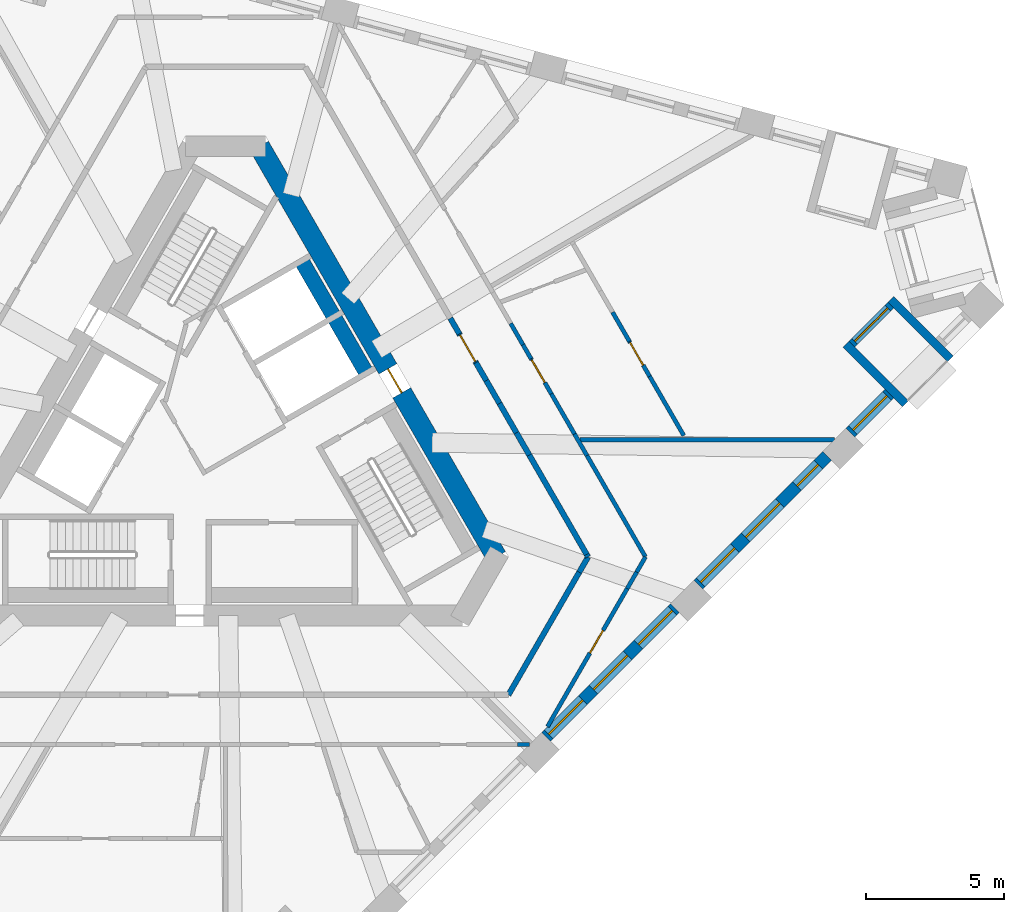
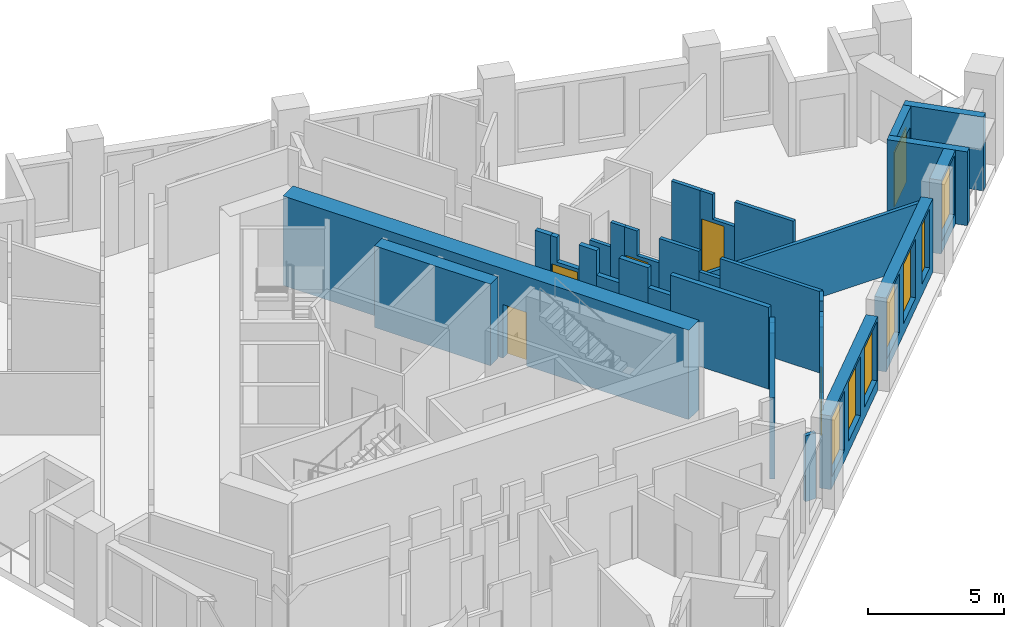
# One storey, part 5 of 13: 32 walls, 7 windows, 6 doors, 13 openings.
"""IFC4 building model written with IfcOpenShell, lengths in metres."""

from ifc_helpers import new_model, si_unit, direction, frame, frame_2d, origin, place, context, subcontext, project, spatial, polyline, rectangle, outline, extrude, material, layer, layer_set, type_object, element, fill, save


model = new_model("IFC4")

# Units and contexts
model_context = context("Model", 3, precision=1e-05, world=origin(), true_north=direction((0.0, 1.0)))
body_context = subcontext(model_context, "Body", "Model", "MODEL_VIEW")
ifc_project = project(units=[si_unit("LENGTHUNIT", "METRE"), si_unit("AREAUNIT", "SQUARE_METRE"), si_unit("VOLUMEUNIT", "CUBIC_METRE"), si_unit("PLANEANGLEUNIT", "RADIAN"), si_unit("MASSUNIT", "GRAM", prefix="KILO")], contexts=[model_context])

# Site, building, storey
site_placement = place(None, origin())
site = spatial("IfcSite", under=ifc_project, at=site_placement, CompositionType="ELEMENT")
building_placement = place(site_placement, origin())
building = spatial("IfcBuilding", under=site, at=building_placement, Name="Tramontana Tower", CompositionType="ELEMENT")
storey_placement = place(building_placement, frame((0.0, 0.0, 200.0)))
storey = spatial("IfcBuildingStorey", under=building, at=storey_placement, Name="L46", CompositionType="ELEMENT", Elevation=200.0)

# Wall, opening, door
ifc_material_1 = material(Name="Concrete 70 MPa", Category="concrete")
ifc_layer_1 = layer(ifc_material_1, 0.75)
ifc_layer_set_1 = layer_set([ifc_layer_1], Name="Core wall 750 70 MPa")
wall_type_1 = type_object("IfcWallType", Name="Core wall 750 70 MPa", PredefinedType="SHEAR", material=ifc_layer_set_1)
wall_1_placement = place(storey_placement, frame((9.81494140625, -4.25, 0.0), z_axis=(0.0, 0.0, 1.0), x_axis=(-0.500002161919, 0.866024155596, 0.0)))
wall_1 = element("IfcWall", 1, at=wall_1_placement, inside=storey, type_object=wall_type_1, Name="Core wall C5 L46", PredefinedType="SHEAR", context=body_context, shape_type="SweptSolid", body=[
    extrude(rectangle(XDim=17.17626953125, YDim=0.75, at=frame_2d((8.588134765625, 0.0))), origin(), (0.0, 0.0, 1.0), 4.0),
])
opening_1_placement = place(wall_1_placement, frame((6.863037109375, 0.0, 0.0)))
opening_1 = element("IfcOpeningElement", 2, at=opening_1_placement, cuts=wall_1, Name="Opening RG3", PredefinedType="OPENING", context=body_context, shape_type="SweptSolid", body=[
    extrude(rectangle(XDim=1.0, YDim=2.39990234375, at=frame_2d((0.5, 1.199951171875))), frame((0.0, 0.385009765625, 0.0), z_axis=(0.0, -1.0, 0.0), x_axis=(1.0, 0.0, 0.0)), (0.0, 0.0, 1.0), 0.77001953125),
])
ifc_material_2 = material(Name="Painted steel", Category="steel")
door_type_1 = type_object("IfcDoorType", Name="RING DOOR 1000", OperationType="SINGLE_SWING_LEFT", PredefinedType="DOOR", material=ifc_material_2)
door_1_placement = place(opening_1_placement, origin())
door_1 = element("IfcDoor", 3, at=door_1_placement, inside=storey, type_object=door_type_1, Name="Door RG3", OperationType="SINGLE_SWING_LEFT", OverallHeight=2.39990234375, OverallWidth=1.0, PredefinedType="DOOR", context=body_context, shape_type="SweptSolid", body=[
    extrude(rectangle(XDim=1.0, YDim=2.39990234375, at=frame_2d((0.5, 1.199951171875))), frame((0.0, 0.02490234375, 0.0), z_axis=(0.0, -1.0, 0.0), x_axis=(1.0, 0.0, 0.0)), (0.0, 0.0, 1.0), 0.050048828125),
])
fill(opening_1, door_1)

# Wall
ifc_material_3 = material(Name="Blockwork", Category="masonry")
ifc_layer_2 = layer(ifc_material_3, 0.199951171875)
ifc_layer_set_2 = layer_set([ifc_layer_2], Name="ENTRY WALL 200")
wall_type_2 = type_object("IfcWallType", Name="ENTRY WALL 200", PredefinedType="SOLIDWALL", material=ifc_layer_set_2)
wall_2_placement = place(storey_placement, frame((8.143310546875, 4.3955078125, 0.0), z_axis=(0.0, 0.0, 1.0), x_axis=(0.499776065732, -0.866154653697, 0.0)))
element("IfcWall", 4, at=wall_2_placement, inside=storey, type_object=wall_type_2, Name="Wall v50-ew0-6", PredefinedType="SOLIDWALL", context=body_context, shape_type="SweptSolid", body=[
    extrude(rectangle(XDim=0.656982421875, YDim=0.199951171875, at=frame_2d((0.32861328125, 0.0))), origin(), (0.0, 0.0, 1.0), 3.64990234375),
])

# Wall, opening, door
wall_3_placement = place(storey_placement, frame((8.4716796875, 3.826416015625, 0.0), z_axis=(0.0, 0.0, 1.0), x_axis=(0.500033551112, -0.866006032174, 0.0)))
wall_3 = element("IfcWall", 5, at=wall_3_placement, inside=storey, type_object=wall_type_2, Name="Wall v50-ew0-7", PredefinedType="SOLIDWALL", context=body_context, shape_type="SweptSolid", body=[
    extrude(outline(polyline([(0.0, 0.0), (1.2001953125, 0.0), (1.199951171875, 2.550048828125), (0.2666015625, 2.550048828125), (0.2666015625, 3.64990234375), (0.0, 3.64990234375), (0.0, 0.0)])), frame((0.0, 0.10009765625, 0.0), z_axis=(0.0, -1.0, 0.0), x_axis=(1.0, 0.0, 0.0)), (0.0, 0.0, 1.0), 0.199951171875),
])
opening_2_placement = place(wall_3_placement, frame((0.050048828125, 0.0, 0.0)))
opening_2 = element("IfcOpeningElement", 6, at=opening_2_placement, cuts=wall_3, Name="Opening B5A-24", PredefinedType="OPENING", context=body_context, shape_type="SweptSolid", body=[
    extrude(rectangle(XDim=1.10009765625, YDim=2.39990234375, at=frame_2d((0.550048828125, 1.199951171875))), frame((0.0, 0.10986328125, 0.0), z_axis=(0.0, -1.0, 0.0), x_axis=(1.0, 0.0, 0.0)), (0.0, 0.0, 1.0), 0.219970703125),
])
ifc_material_4 = material(Name="Painted timber", Category="wood")
door_type_2 = type_object("IfcDoorType", Name="DOOR ENTRY 1100", OperationType="SINGLE_SWING_LEFT", PredefinedType="DOOR", material=ifc_material_4)
door_2_placement = place(opening_2_placement, origin())
door_2 = element("IfcDoor", 7, at=door_2_placement, inside=storey, type_object=door_type_2, Name="Door B5A-24", OperationType="SINGLE_SWING_RIGHT", OverallHeight=2.39990234375, OverallWidth=1.10009765625, PredefinedType="DOOR", context=body_context, shape_type="SweptSolid", body=[
    extrude(rectangle(XDim=1.10009765625, YDim=2.39990234375, at=frame_2d((0.550048828125, 1.199951171875))), frame((0.0, 0.02490234375, 0.0), z_axis=(0.0, -1.0, 0.0), x_axis=(1.0, 0.0, 0.0)), (0.0, 0.0, 1.0), 0.050048828125),
])
fill(opening_2, door_2)

# Walls
wall_4_placement = place(storey_placement, frame((9.07177734375, 2.787109375, 0.0), z_axis=(0.0, 0.0, 1.0), x_axis=(0.50020163859, -0.865908956387, 0.0)))
element("IfcWall", 8, at=wall_4_placement, inside=storey, type_object=wall_type_2, Name="Wall v50-ew0-8", PredefinedType="SOLIDWALL", context=body_context, shape_type="SweptSolid", body=[
    extrude(rectangle(XDim=0.749755859375, YDim=0.199951171875, at=frame_2d((0.375, 0.0))), origin(), (0.0, 0.0, 1.0), 3.64990234375),
])
wall_5_placement = place(storey_placement, frame((9.44677734375, 2.137939453125, 0.0), z_axis=(0.0, 0.0, 1.0), x_axis=(0.499869636591, -0.866100656052, 0.0)))
element("IfcWall", 9, at=wall_5_placement, inside=storey, type_object=wall_type_2, Name="Wall v50-ew0-9", PredefinedType="SOLIDWALL", context=body_context, shape_type="SweptSolid", body=[
    extrude(rectangle(XDim=0.957275390625, YDim=0.199951171875, at=frame_2d((0.478515625, 0.0))), origin(), (0.0, 0.0, 1.0), 2.550048828125),
])
wall_6_placement = place(storey_placement, frame((9.92529296875, 1.308837890625, 0.0), z_axis=(0.0, 0.0, 1.0), x_axis=(0.500055461028, -0.865993380977, 0.0)))
element("IfcWall", 10, at=wall_6_placement, inside=storey, type_object=wall_type_2, Name="Wall v50-ew0-10", PredefinedType="SOLIDWALL", context=body_context, shape_type="SweptSolid", body=[
    extrude(rectangle(XDim=1.226806640625, YDim=0.199951171875, at=frame_2d((0.61328125, 0.0))), origin(), (0.0, 0.0, 1.0), 3.64990234375),
])
wall_7_placement = place(storey_placement, frame((10.538818359375, 0.246337890625, 0.0), z_axis=(0.0, 0.0, 1.0), x_axis=(0.499971966783, -0.866041588165, 0.0)))
element("IfcWall", 11, at=wall_7_placement, inside=storey, type_object=wall_type_2, Name="Wall v50-ew0-11", PredefinedType="SOLIDWALL", context=body_context, shape_type="SweptSolid", body=[
    extrude(rectangle(XDim=0.931640625, YDim=0.199951171875, at=frame_2d((0.4658203125, 0.0))), origin(), (0.0, 0.0, 1.0), 2.75),
])
wall_8_placement = place(storey_placement, frame((11.004638671875, -0.560546875, 0.0), z_axis=(0.0, 0.0, 1.0), x_axis=(0.499993700073, -0.866029041019, 0.0)))
element("IfcWall", 12, at=wall_8_placement, inside=storey, type_object=wall_type_2, Name="Wall v50-ew0-12", PredefinedType="SOLIDWALL", context=body_context, shape_type="SweptSolid", body=[
    extrude(rectangle(XDim=4.1552734375, YDim=0.199951171875, at=frame_2d((2.07763671875, 0.0))), origin(), (0.0, 0.0, 1.0), 3.64990234375),
])
wall_9_placement = place(storey_placement, frame((13.082275390625, -4.1591796875, 0.0), z_axis=(0.0, 0.0, 1.0), x_axis=(0.500393920955, -0.865797853931, 0.0)))
element("IfcWall", 13, at=wall_9_placement, inside=storey, type_object=wall_type_2, Name="Wall v50-ew0-13", PredefinedType="SOLIDWALL", context=body_context, shape_type="SweptSolid", body=[
    extrude(rectangle(XDim=0.10498046875, YDim=0.199951171875, at=frame_2d((0.052490234375, 0.0))), origin(), (0.0, 0.0, 1.0), 2.949951171875),
])
wall_10_placement = place(storey_placement, frame((13.134765625, -4.25, 0.0), z_axis=(0.0, 0.0, 1.0), x_axis=(-0.500018234033, -0.866014876105, 0.0)))
element("IfcWall", 14, at=wall_10_placement, inside=storey, type_object=wall_type_2, Name="Wall v50-ew1-0", PredefinedType="SOLIDWALL", context=body_context, shape_type="SweptSolid", body=[
    extrude(rectangle(XDim=0.64306640625, YDim=0.199951171875, at=frame_2d((0.321533203125, 0.0))), origin(), (0.0, 0.0, 1.0), 2.949951171875),
])
wall_11_placement = place(storey_placement, frame((12.813232421875, -4.806884765625, 0.0), z_axis=(0.0, 0.0, 1.0), x_axis=(-0.499992949462, -0.866029474376, 0.0)))
element("IfcWall", 15, at=wall_11_placement, inside=storey, type_object=wall_type_2, Name="Wall v50-ew1-1", PredefinedType="SOLIDWALL", context=body_context, shape_type="SweptSolid", body=[
    extrude(rectangle(XDim=5.13037109375, YDim=0.199951171875, at=frame_2d((2.565185546875, 0.0))), origin(), (0.0, 0.0, 1.0), 3.64990234375),
])

# Wall, openings, windows
ifc_material_5 = material(Name="Precast concrete 60 MPa", Category="concrete")
ifc_layer_3 = layer(ifc_material_5, 0.449951171875)
ifc_layer_set_3 = layer_set([ifc_layer_3], Name="Precast concrete 60 MPa, 450 mm")
wall_type_3 = type_object("IfcWallType", Name="EW1 Stone-faced precast wall 450", PredefinedType="SOLIDWALL", material=ifc_layer_set_3)
wall_12_placement = place(storey_placement, frame((11.6142578125, -10.765625, 0.0), z_axis=(0.0, 0.0, 1.0), x_axis=(0.707106781187, 0.707106781187, 0.0)))
wall_12 = element("IfcWall", 16, at=wall_12_placement, inside=storey, type_object=wall_type_3, Name="External wall L46 face 1 bay 4", PredefinedType="SOLIDWALL", context=body_context, shape_type="SweptSolid", body=[
    extrude(rectangle(XDim=6.59423828125, YDim=0.449951171875, at=frame_2d((3.297119140625, 0.0))), origin(), (0.0, 0.0, 1.0), 3.300048828125),
])
opening_3_placement = place(wall_12_placement, frame((0.1240234375, 0.0, 0.5)))
opening_3 = element("IfcOpeningElement", 17, at=opening_3_placement, cuts=wall_12, Name="Opening M2", PredefinedType="OPENING", context=body_context, shape_type="SweptSolid", body=[
    extrude(rectangle(XDim=1.75, YDim=2.64990234375, at=frame_2d((0.875, 1.324951171875))), frame((0.0, 0.23486328125, 0.0), z_axis=(0.0, -1.0, 0.0), x_axis=(1.0, 0.0, 0.0)), (0.0, 0.0, 1.0), 0.469970703125),
])
opening_4_placement = place(wall_12_placement, frame((2.422119140625, 0.0, 0.5)))
opening_4 = element("IfcOpeningElement", 18, at=opening_4_placement, cuts=wall_12, Name="Opening M2", PredefinedType="OPENING", context=body_context, shape_type="SweptSolid", body=[
    extrude(rectangle(XDim=1.75, YDim=2.64990234375, at=frame_2d((0.875, 1.324951171875))), frame((0.0, 0.23486328125, 0.0), z_axis=(0.0, -1.0, 0.0), x_axis=(1.0, 0.0, 0.0)), (0.0, 0.0, 1.0), 0.469970703125),
])
opening_5_placement = place(wall_12_placement, frame((4.72021484375, 0.0, 0.5)))
opening_5 = element("IfcOpeningElement", 19, at=opening_5_placement, cuts=wall_12, Name="Opening M2", PredefinedType="OPENING", context=body_context, shape_type="SweptSolid", body=[
    extrude(rectangle(XDim=1.75, YDim=2.64990234375, at=frame_2d((0.875, 1.324951171875))), frame((0.0, 0.23486328125, 0.0), z_axis=(0.0, -1.0, 0.0), x_axis=(1.0, 0.0, 0.0)), (0.0, 0.0, 1.0), 0.469970703125),
])
ifc_material_6 = material(Name="Aluminum frame, double glazing unit", Category="aluminium")
window_type_1 = type_object("IfcWindowType", Name="M2 Window 1.75 x 2.65", PartitioningType="SINGLE_PANEL", PredefinedType="WINDOW", material=ifc_material_6)
window_1_placement = place(opening_3_placement, origin())
window_1 = element("IfcWindow", 20, at=window_1_placement, inside=storey, type_object=window_type_1, Name="Window M2 L46 face 1 module 10", OverallHeight=2.64990234375, OverallWidth=1.75, PartitioningType="SINGLE_PANEL", PredefinedType="WINDOW", context=body_context, shape_type="SweptSolid", body=[
    extrude(rectangle(XDim=1.75, YDim=2.64990234375, at=frame_2d((0.875, 1.324951171875))), frame((0.0, 0.030029296875, 0.0), z_axis=(0.0, -1.0, 0.0), x_axis=(1.0, 0.0, 0.0)), (0.0, 0.0, 1.0), 0.06005859375),
])
fill(opening_3, window_1)
window_2_placement = place(opening_4_placement, origin())
window_2 = element("IfcWindow", 21, at=window_2_placement, inside=storey, type_object=window_type_1, Name="Window M2 L46 face 1 module 11", OverallHeight=2.64990234375, OverallWidth=1.75, PartitioningType="SINGLE_PANEL", PredefinedType="WINDOW", context=body_context, shape_type="SweptSolid", body=[
    extrude(rectangle(XDim=1.75, YDim=2.64990234375, at=frame_2d((0.875, 1.324951171875))), frame((0.0, 0.030029296875, 0.0), z_axis=(0.0, -1.0, 0.0), x_axis=(1.0, 0.0, 0.0)), (0.0, 0.0, 1.0), 0.06005859375),
])
fill(opening_4, window_2)
window_3_placement = place(opening_5_placement, origin())
window_3 = element("IfcWindow", 22, at=window_3_placement, inside=storey, type_object=window_type_1, Name="Window M2 L46 face 1 module 12", OverallHeight=2.64990234375, OverallWidth=1.75, PartitioningType="SINGLE_PANEL", PredefinedType="WINDOW", context=body_context, shape_type="SweptSolid", body=[
    extrude(rectangle(XDim=1.75, YDim=2.64990234375, at=frame_2d((0.875, 1.324951171875))), frame((0.0, 0.030029296875, 0.0), z_axis=(0.0, -1.0, 0.0), x_axis=(1.0, 0.0, 0.0)), (0.0, 0.0, 1.0), 0.06005859375),
])
fill(opening_5, window_3)

wall_13_placement = place(storey_placement, frame((17.12548828125, -5.25439453125, 0.0), z_axis=(0.0, 0.0, 1.0), x_axis=(0.707106781187, 0.707106781187, 0.0)))
wall_13 = element("IfcWall", 23, at=wall_13_placement, inside=storey, type_object=wall_type_3, Name="External wall L46 face 1 bay 5", PredefinedType="SOLIDWALL", context=body_context, shape_type="SweptSolid", body=[
    extrude(rectangle(XDim=6.59423828125, YDim=0.449951171875, at=frame_2d((3.297119140625, 0.0))), origin(), (0.0, 0.0, 1.0), 3.300048828125),
])
opening_6_placement = place(wall_13_placement, frame((0.1240234375, 0.0, 0.5)))
opening_6 = element("IfcOpeningElement", 24, at=opening_6_placement, cuts=wall_13, Name="Opening M2", PredefinedType="OPENING", context=body_context, shape_type="SweptSolid", body=[
    extrude(rectangle(XDim=1.75, YDim=2.64990234375, at=frame_2d((0.875, 1.324951171875))), frame((0.0, 0.23486328125, 0.0), z_axis=(0.0, -1.0, 0.0), x_axis=(1.0, 0.0, 0.0)), (0.0, 0.0, 1.0), 0.469970703125),
])
opening_7_placement = place(wall_13_placement, frame((2.422119140625, 0.0, 0.5)))
opening_7 = element("IfcOpeningElement", 25, at=opening_7_placement, cuts=wall_13, Name="Opening M2", PredefinedType="OPENING", context=body_context, shape_type="SweptSolid", body=[
    extrude(rectangle(XDim=1.75, YDim=2.64990234375, at=frame_2d((0.875, 1.324951171875))), frame((0.0, 0.23486328125, 0.0), z_axis=(0.0, -1.0, 0.0), x_axis=(1.0, 0.0, 0.0)), (0.0, 0.0, 1.0), 0.469970703125),
])
opening_8_placement = place(wall_13_placement, frame((5.045166015625, 0.0, 0.5)))
opening_8 = element("IfcOpeningElement", 26, at=opening_8_placement, cuts=wall_13, Name="Opening N2", PredefinedType="OPENING", context=body_context, shape_type="SweptSolid", body=[
    extrude(rectangle(XDim=1.10009765625, YDim=2.64990234375, at=frame_2d((0.550048828125, 1.324951171875))), frame((0.0, 0.23486328125, 0.0), z_axis=(0.0, -1.0, 0.0), x_axis=(1.0, 0.0, 0.0)), (0.0, 0.0, 1.0), 0.469970703125),
])
window_4_placement = place(opening_6_placement, origin())
window_4 = element("IfcWindow", 27, at=window_4_placement, inside=storey, type_object=window_type_1, Name="Window M2 L46 face 1 module 13", OverallHeight=2.64990234375, OverallWidth=1.75, PartitioningType="SINGLE_PANEL", PredefinedType="WINDOW", context=body_context, shape_type="SweptSolid", body=[
    extrude(rectangle(XDim=1.75, YDim=2.64990234375, at=frame_2d((0.875, 1.324951171875))), frame((0.0, 0.030029296875, 0.0), z_axis=(0.0, -1.0, 0.0), x_axis=(1.0, 0.0, 0.0)), (0.0, 0.0, 1.0), 0.06005859375),
])
fill(opening_6, window_4)
window_5_placement = place(opening_7_placement, origin())
window_5 = element("IfcWindow", 28, at=window_5_placement, inside=storey, type_object=window_type_1, Name="Window M2 L46 face 1 module 14", OverallHeight=2.64990234375, OverallWidth=1.75, PartitioningType="SINGLE_PANEL", PredefinedType="WINDOW", context=body_context, shape_type="SweptSolid", body=[
    extrude(rectangle(XDim=1.75, YDim=2.64990234375, at=frame_2d((0.875, 1.324951171875))), frame((0.0, 0.030029296875, 0.0), z_axis=(0.0, -1.0, 0.0), x_axis=(1.0, 0.0, 0.0)), (0.0, 0.0, 1.0), 0.06005859375),
])
fill(opening_7, window_5)
ifc_material_7 = material(Name="Aluminum frame, double glazing unit", Category="aluminium")
window_type_2 = type_object("IfcWindowType", Name="N2 Window 1.1 x 2.65", PartitioningType="SINGLE_PANEL", PredefinedType="WINDOW", material=ifc_material_7)
window_6_placement = place(opening_8_placement, origin())
window_6 = element("IfcWindow", 29, at=window_6_placement, inside=storey, type_object=window_type_2, Name="Window N2 L46 face 1 module 15", OverallHeight=2.64990234375, OverallWidth=1.10009765625, PartitioningType="SINGLE_PANEL", PredefinedType="WINDOW", context=body_context, shape_type="SweptSolid", body=[
    extrude(rectangle(XDim=1.10009765625, YDim=2.64990234375, at=frame_2d((0.550048828125, 1.324951171875))), frame((0.0, 0.030029296875, 0.0), z_axis=(0.0, -1.0, 0.0), x_axis=(1.0, 0.0, 0.0)), (0.0, 0.0, 1.0), 0.06005859375),
])
fill(opening_8, window_6)

# Wall, opening, window
wall_14_placement = place(storey_placement, frame((22.636962890625, 0.257080078125, 0.0), z_axis=(0.0, 0.0, 1.0), x_axis=(0.707106781187, 0.707106781187, 0.0)))
wall_14 = element("IfcWall", 30, at=wall_14_placement, inside=storey, type_object=wall_type_3, Name="External wall L46 face 1 bay 6", PredefinedType="SOLIDWALL", context=body_context, shape_type="SweptSolid", body=[
    extrude(rectangle(XDim=1.998046875, YDim=0.449951171875, at=frame_2d((0.9990234375, 0.0))), origin(), (0.0, 0.0, 1.0), 3.300048828125),
])
opening_9_placement = place(wall_14_placement, frame((0.1240234375, 0.0, 0.5)))
opening_9 = element("IfcOpeningElement", 31, at=opening_9_placement, cuts=wall_14, Name="Opening M2", PredefinedType="OPENING", context=body_context, shape_type="SweptSolid", body=[
    extrude(rectangle(XDim=1.75, YDim=2.64990234375, at=frame_2d((0.875, 1.324951171875))), frame((0.0, 0.23486328125, 0.0), z_axis=(0.0, -1.0, 0.0), x_axis=(1.0, 0.0, 0.0)), (0.0, 0.0, 1.0), 0.469970703125),
])
window_7_placement = place(opening_9_placement, origin())
window_7 = element("IfcWindow", 32, at=window_7_placement, inside=storey, type_object=window_type_1, Name="Window M2 L46 face 1 module 16", OverallHeight=2.64990234375, OverallWidth=1.75, PartitioningType="SINGLE_PANEL", PredefinedType="WINDOW", context=body_context, shape_type="SweptSolid", body=[
    extrude(rectangle(XDim=1.75, YDim=2.64990234375, at=frame_2d((0.875, 1.324951171875))), frame((0.0, 0.030029296875, 0.0), z_axis=(0.0, -1.0, 0.0), x_axis=(1.0, 0.0, 0.0)), (0.0, 0.0, 1.0), 0.06005859375),
])
fill(opening_9, window_7)

# Wall, opening, door
ifc_material_8 = material(Name="Precast concrete 60 MPa", Category="concrete")
ifc_layer_4 = layer(ifc_material_8, 0.300048828125)
ifc_layer_set_4 = layer_set([ifc_layer_4], Name="LW1 Stone-faced loggia wall 300")
wall_type_4 = type_object("IfcWallType", Name="LW1 Stone-faced loggia wall 300", PredefinedType="SOLIDWALL", material=ifc_layer_set_4)
wall_15_placement = place(storey_placement, frame((22.688720703125, 3.455322265625, 0.0), z_axis=(0.0, 0.0, 1.0), x_axis=(0.707106781187, 0.707106781187, 0.0)))
wall_15 = element("IfcWall", 33, at=wall_15_placement, inside=storey, type_object=wall_type_4, Name="Loggia wall L46 G5S1.16", PredefinedType="SOLIDWALL", context=body_context, shape_type="SweptSolid", body=[
    extrude(rectangle(XDim=1.998046875, YDim=0.300048828125, at=frame_2d((0.9990234375, 0.0))), origin(), (0.0, 0.0, 1.0), 3.300048828125),
])
opening_10_placement = place(wall_15_placement, frame((0.14892578125, 0.0, 0.0)))
opening_10 = element("IfcOpeningElement", 34, at=opening_10_placement, cuts=wall_15, Name="Opening BD-5S1-16", PredefinedType="OPENING", context=body_context, shape_type="SweptSolid", body=[
    extrude(rectangle(XDim=1.699951171875, YDim=2.449951171875, at=frame_2d((0.85009765625, 1.22509765625))), frame((0.0, 0.159912109375, 0.0), z_axis=(0.0, -1.0, 0.0), x_axis=(1.0, 0.0, 0.0)), (0.0, 0.0, 1.0), 0.320068359375),
])
ifc_material_9 = material(Name="Aluminum frame, double glazing unit", Category="aluminium")
door_type_3 = type_object("IfcDoorType", Name="BD2 Sliding door 1.7 x 2.45", OperationType="SLIDING_TO_LEFT", PredefinedType="DOOR", material=ifc_material_9)
door_3_placement = place(opening_10_placement, origin())
door_3 = element("IfcDoor", 35, at=door_3_placement, inside=storey, type_object=door_type_3, Name="Loggia door L46 G5S1.16", OperationType="SLIDING_TO_LEFT", OverallHeight=2.449951171875, OverallWidth=1.699951171875, PredefinedType="DOOR", context=body_context, shape_type="SweptSolid", body=[
    extrude(rectangle(XDim=1.699951171875, YDim=2.449951171875, at=frame_2d((0.85009765625, 1.22509765625))), frame((0.0, 0.02490234375, 0.0), z_axis=(0.0, -1.0, 0.0), x_axis=(1.0, 0.0, 0.0)), (0.0, 0.0, 1.0), 0.050048828125),
])
fill(opening_10, door_3)

# Walls
for number, where, z_axis, x_axis, name in (
    (36, (24.633056640625, 1.298583984375, 0.0), (0.0, 0.0, 1.0), (-0.707066755897, 0.707146804211, 0.0), "Loggia return L46 G5S1.16a"),
    (37, (26.258056640625, 2.923583984375, 0.0), (0.0, 0.0, 1.0), (-0.707066755897, 0.707146804211, 0.0), "Loggia return L46 G5S1.16b"),
):
    element("IfcWall", number, at=place(storey_placement, frame(where, z_axis=z_axis, x_axis=x_axis)), inside=storey, type_object=wall_type_4, Name=name, PredefinedType="SOLIDWALL", context=body_context, shape_type="SweptSolid", body=[
        extrude(rectangle(XDim=3.0498046875, YDim=0.300048828125, at=frame_2d((1.52490234375, 0.0))), origin(), (0.0, 0.0, 1.0), 3.300048828125),
    ])
ifc_material_10 = material(Name="Gypsum board partition")
ifc_layer_5 = layer(ifc_material_10, 0.14990234375)
ifc_layer_set_5 = layer_set([ifc_layer_5], Name="PARTITION 150")
wall_type_5 = type_object("IfcWallType", Name="PARTITION 150", PredefinedType="PARTITIONING", material=ifc_layer_set_5)
wall_16_placement = place(storey_placement, frame((10.330322265625, 4.20703125, 0.0), z_axis=(0.0, 0.0, 1.0), x_axis=(0.500245559984, -0.865883583235, 0.0)))
element("IfcWall", 38, at=wall_16_placement, inside=storey, type_object=wall_type_5, Name="Wall v50-pw13-6", PredefinedType="PARTITIONING", context=body_context, shape_type="SweptSolid", body=[
    extrude(rectangle(XDim=0.888671875, YDim=0.14990234375, at=frame_2d((0.4443359375, 0.0))), origin(), (0.0, 0.0, 1.0), 2.550048828125),
])
wall_17_placement = place(storey_placement, frame((10.77490234375, 3.4375, 0.0), z_axis=(0.0, 0.0, 1.0), x_axis=(0.499818765479, -0.866130014302, 0.0)))
element("IfcWall", 39, at=wall_17_placement, inside=storey, type_object=wall_type_5, Name="Wall v50-pw13-7", PredefinedType="PARTITIONING", context=body_context, shape_type="SweptSolid", body=[
    extrude(rectangle(XDim=0.585205078125, YDim=0.14990234375, at=frame_2d((0.29248046875, 0.0))), origin(), (0.0, 0.0, 1.0), 3.64990234375),
])

# Wall, opening, door
wall_18_placement = place(storey_placement, frame((11.0673828125, 2.9306640625, 0.0), z_axis=(0.0, 0.0, 1.0), x_axis=(0.500009564119, -0.866019881867, 0.0)))
wall_18 = element("IfcWall", 40, at=wall_18_placement, inside=storey, type_object=wall_type_5, Name="Wall v50-pw13-8", PredefinedType="PARTITIONING", context=body_context, shape_type="SweptSolid", body=[
    extrude(outline(polyline([(0.0, 0.0), (1.47216796875, 0.0), (1.471923828125, 2.550048828125), (0.541259765625, 2.550048828125), (0.541259765625, 3.64990234375), (0.0, 3.64990234375), (0.0, 0.0)])), frame((0.0, 0.074951171875, 0.0), z_axis=(0.0, -1.0, 0.0), x_axis=(1.0, 0.0, 0.0)), (0.0, 0.0, 1.0), 0.14990234375),
])
opening_11_placement = place(wall_18_placement, frame((0.050048828125, 0.0, 0.0)))
opening_11 = element("IfcOpeningElement", 41, at=opening_11_placement, cuts=wall_18, Name="Opening B5A-11", PredefinedType="OPENING", context=body_context, shape_type="SweptSolid", body=[
    extrude(rectangle(XDim=0.949951171875, YDim=2.39990234375, at=frame_2d((0.47509765625, 1.199951171875))), frame((0.0, 0.0849609375, 0.0), z_axis=(0.0, -1.0, 0.0), x_axis=(1.0, 0.0, 0.0)), (0.0, 0.0, 1.0), 0.169921875),
])
ifc_material_11 = material(Name="Painted timber", Category="wood")
door_type_4 = type_object("IfcDoorType", Name="DOOR ROOM 950", OperationType="SINGLE_SWING_LEFT", PredefinedType="DOOR", material=ifc_material_11)
door_4_placement = place(opening_11_placement, origin())
door_4 = element("IfcDoor", 42, at=door_4_placement, inside=storey, type_object=door_type_4, Name="Door B5A-11", OperationType="SINGLE_SWING_LEFT", OverallHeight=2.39990234375, OverallWidth=0.949951171875, PredefinedType="DOOR", context=body_context, shape_type="SweptSolid", body=[
    extrude(rectangle(XDim=0.949951171875, YDim=2.39990234375, at=frame_2d((0.47509765625, 1.199951171875))), frame((0.0, 0.02490234375, 0.0), z_axis=(0.0, -1.0, 0.0), x_axis=(1.0, 0.0, 0.0)), (0.0, 0.0, 1.0), 0.050048828125),
])
fill(opening_11, door_4)

# Walls
wall_19_placement = place(storey_placement, frame((11.803466796875, 1.65576171875, 0.0), z_axis=(0.0, 0.0, 1.0), x_axis=(0.499974444137, -0.866040157966, 0.0)))
element("IfcWall", 43, at=wall_19_placement, inside=storey, type_object=wall_type_5, Name="Wall v50-pw13-9", PredefinedType="PARTITIONING", context=body_context, shape_type="SweptSolid", body=[
    extrude(rectangle(XDim=1.67724609375, YDim=0.14990234375, at=frame_2d((0.838623046875, 0.0))), origin(), (0.0, 0.0, 1.0), 3.64990234375),
])
wall_20_placement = place(storey_placement, frame((12.64208984375, 0.203125, 0.0), z_axis=(0.0, 0.0, 1.0), x_axis=(0.500065807255, -0.865987406614, 0.0)))
element("IfcWall", 44, at=wall_20_placement, inside=storey, type_object=wall_type_5, Name="Wall v50-pw13-10", PredefinedType="PARTITIONING", context=body_context, shape_type="SweptSolid", body=[
    extrude(rectangle(XDim=0.90283203125, YDim=0.14990234375, at=frame_2d((0.451416015625, 0.0))), origin(), (0.0, 0.0, 1.0), 2.75),
])
wall_21_placement = place(storey_placement, frame((13.093505859375, -0.57861328125, 0.0), z_axis=(0.0, 0.0, 1.0), x_axis=(0.499991648869, -0.866030225258, 0.0)))
element("IfcWall", 45, at=wall_21_placement, inside=storey, type_object=wall_type_5, Name="Wall v50-pw13-11", PredefinedType="PARTITIONING", context=body_context, shape_type="SweptSolid", body=[
    extrude(rectangle(XDim=4.2392578125, YDim=0.14990234375, at=frame_2d((2.11962890625, 0.0))), origin(), (0.0, 0.0, 1.0), 3.64990234375),
])
wall_22_placement = place(storey_placement, frame((11.01171875, -11.050048828125, 0.0), z_axis=(0.0, 0.0, 1.0), x_axis=(-1.0, 0.0, 0.0)))
element("IfcWall", 46, at=wall_22_placement, inside=storey, type_object=wall_type_5, Name="Wall v50-pw24-0", PredefinedType="PARTITIONING", context=body_context, shape_type="SweptSolid", body=[
    extrude(rectangle(XDim=0.43896484375, YDim=0.14990234375, at=frame_2d((0.219482421875, 0.0))), origin(), (0.0, 0.0, 1.0), 2.949951171875),
])
wall_23_placement = place(storey_placement, frame((14.021728515625, 4.613525390625, 0.0), z_axis=(0.0, 0.0, 1.0), x_axis=(0.50005746179, -0.865992225662, 0.0)))
element("IfcWall", 47, at=wall_23_placement, inside=storey, type_object=wall_type_5, Name="Wall v50-pw25-3", PredefinedType="PARTITIONING", context=body_context, shape_type="SweptSolid", body=[
    extrude(rectangle(XDim=1.219482421875, YDim=0.14990234375, at=frame_2d((0.60986328125, 0.0))), origin(), (0.0, 0.0, 1.0), 3.64990234375),
])

# Wall, opening, door
wall_24_placement = place(storey_placement, frame((14.631591796875, 3.557373046875, 0.0), z_axis=(0.0, 0.0, 1.0), x_axis=(0.50003034938, -0.866007880853, 0.0)))
wall_24 = element("IfcWall", 48, at=wall_24_placement, inside=storey, type_object=wall_type_5, Name="Wall v50-pw25-4", PredefinedType="PARTITIONING", context=body_context, shape_type="SweptSolid", body=[
    extrude(outline(polyline([(0.0, 0.0), (1.46435546875, 0.0), (1.464111328125, 2.550048828125), (0.53369140625, 2.550048828125), (0.53369140625, 3.64990234375), (0.0, 3.64990234375), (0.0, 0.0)])), frame((0.0, 0.074951171875, 0.0), z_axis=(0.0, -1.0, 0.0), x_axis=(1.0, 0.0, 0.0)), (0.0, 0.0, 1.0), 0.14990234375),
])
opening_12_placement = place(wall_24_placement, frame((0.050048828125, 0.0, 0.0)))
opening_12 = element("IfcOpeningElement", 49, at=opening_12_placement, cuts=wall_24, Name="Opening B5A-19", PredefinedType="OPENING", context=body_context, shape_type="SweptSolid", body=[
    extrude(rectangle(XDim=0.949951171875, YDim=2.39990234375, at=frame_2d((0.47509765625, 1.199951171875))), frame((0.0, 0.0849609375, 0.0), z_axis=(0.0, -1.0, 0.0), x_axis=(1.0, 0.0, 0.0)), (0.0, 0.0, 1.0), 0.169921875),
])
door_5_placement = place(opening_12_placement, origin())
door_5 = element("IfcDoor", 50, at=door_5_placement, inside=storey, type_object=door_type_4, Name="Door B5A-19", OperationType="SINGLE_SWING_LEFT", OverallHeight=2.39990234375, OverallWidth=0.949951171875, PredefinedType="DOOR", context=body_context, shape_type="SweptSolid", body=[
    extrude(rectangle(XDim=0.949951171875, YDim=2.39990234375, at=frame_2d((0.47509765625, 1.199951171875))), frame((0.0, 0.02490234375, 0.0), z_axis=(0.0, -1.0, 0.0), x_axis=(1.0, 0.0, 0.0)), (0.0, 0.0, 1.0), 0.050048828125),
])
fill(opening_12, door_5)

# Walls
wall_25_placement = place(storey_placement, frame((15.36376953125, 2.289306640625, 0.0), z_axis=(0.0, 0.0, 1.0), x_axis=(0.499978546328, -0.866037789714, 0.0)))
element("IfcWall", 51, at=wall_25_placement, inside=storey, type_object=wall_type_5, Name="Wall v50-pw25-5", PredefinedType="PARTITIONING", context=body_context, shape_type="SweptSolid", body=[
    extrude(rectangle(XDim=2.4755859375, YDim=0.14990234375, at=frame_2d((1.23779296875, 0.0))), origin(), (0.0, 0.0, 1.0), 3.64990234375),
])
wall_26_placement = place(storey_placement, frame((15.213134765625, -4.25, 0.0), z_axis=(0.0, 0.0, 1.0), x_axis=(-0.499899851437, -0.866083216864, 0.0)))
element("IfcWall", 52, at=wall_26_placement, inside=storey, type_object=wall_type_5, Name="Wall v50-pw26-0", PredefinedType="PARTITIONING", context=body_context, shape_type="SweptSolid", body=[
    extrude(rectangle(XDim=0.635498046875, YDim=0.14990234375, at=frame_2d((0.31787109375, 0.0))), origin(), (0.0, 0.0, 1.0), 3.64990234375),
])
wall_27_placement = place(storey_placement, frame((14.8955078125, -4.80029296875, 0.0), z_axis=(0.0, 0.0, 1.0), x_axis=(-0.5001118933, -0.865960792519, 0.0)))
element("IfcWall", 53, at=wall_27_placement, inside=storey, type_object=wall_type_5, Name="Wall v50-pw26-1", PredefinedType="PARTITIONING", context=body_context, shape_type="SweptSolid", body=[
    extrude(rectangle(XDim=0.687255859375, YDim=0.14990234375, at=frame_2d((0.34375, 0.0))), origin(), (0.0, 0.0, 1.0), 2.949951171875),
])

# Wall, opening, door
wall_28_placement = place(storey_placement, frame((14.5517578125, -5.3955078125, 0.0), z_axis=(0.0, 0.0, 1.0), x_axis=(-0.499984646442, -0.866034267984, 0.0)))
wall_28 = element("IfcWall", 54, at=wall_28_placement, inside=storey, type_object=wall_type_5, Name="Wall v50-pw26-2", PredefinedType="PARTITIONING", context=body_context, shape_type="SweptSolid", body=[
    extrude(rectangle(XDim=5.776611328125, YDim=0.14990234375, at=frame_2d((2.88818359375, 0.0))), origin(), (0.0, 0.0, 1.0), 3.64990234375),
])
opening_13_placement = place(wall_28_placement, frame((1.751953125, 0.0, 0.0)))
opening_13 = element("IfcOpeningElement", 55, at=opening_13_placement, cuts=wall_28, Name="Opening B5A-12", PredefinedType="OPENING", context=body_context, shape_type="SweptSolid", body=[
    extrude(rectangle(XDim=0.949951171875, YDim=2.39990234375, at=frame_2d((0.47509765625, 1.199951171875))), frame((0.0, 0.0849609375, 0.0), z_axis=(0.0, -1.0, 0.0), x_axis=(1.0, 0.0, 0.0)), (0.0, 0.0, 1.0), 0.169921875),
])
door_6_placement = place(opening_13_placement, origin())
door_6 = element("IfcDoor", 56, at=door_6_placement, inside=storey, type_object=door_type_4, Name="Door B5A-12", OperationType="SINGLE_SWING_RIGHT", OverallHeight=2.39990234375, OverallWidth=0.949951171875, PredefinedType="DOOR", context=body_context, shape_type="SweptSolid", body=[
    extrude(rectangle(XDim=0.949951171875, YDim=2.39990234375, at=frame_2d((0.47509765625, 1.199951171875))), frame((0.0, 0.02490234375, 0.0), z_axis=(0.0, -1.0, 0.0), x_axis=(1.0, 0.0, 0.0)), (0.0, 0.0, 1.0), 0.050048828125),
])
fill(opening_13, door_6)

# Walls
wall_29_placement = place(storey_placement, frame((22.053466796875, -0.008056640625, 0.0), z_axis=(0.0, 0.0, 1.0), x_axis=(-0.999999931056, 0.00037133306, 0.0)))
element("IfcWall", 57, at=wall_29_placement, inside=storey, type_object=wall_type_5, Name="Wall v50-pw27-0", PredefinedType="PARTITIONING", context=body_context, shape_type="SweptSolid", body=[
    extrude(rectangle(XDim=9.20458984375, YDim=0.14990234375, at=frame_2d((4.602294921875, 0.0))), origin(), (0.0, 0.0, 1.0), 2.75),
])
ifc_material_12 = material(Name="Concrete 70 MPa", Category="concrete")
ifc_layer_6 = layer(ifc_material_12, 0.550048828125)
ifc_layer_set_6 = layer_set([ifc_layer_6], Name="Concrete 70 MPa, 550 mm")
wall_type_6 = type_object("IfcWallType", Name="RC SHAFT BACK WALL 550", PredefinedType="SOLIDWALL", material=ifc_layer_set_6)
wall_30_placement = place(storey_placement, frame((5.156494140625, 2.31884765625, 0.0), z_axis=(0.0, 0.0, 1.0), x_axis=(-0.500018594424, 0.866014668023, 0.0)))
element("IfcWall", 58, at=wall_30_placement, inside=storey, type_object=wall_type_6, Name="Wall row2-back", PredefinedType="SOLIDWALL", context=body_context, shape_type="SweptSolid", body=[
    extrude(rectangle(XDim=4.900146484375, YDim=0.550048828125, at=frame_2d((2.4501953125, 0.0))), origin(), (0.0, 0.0, 1.0), 3.64990234375),
])

save(model, "model.ifc")
